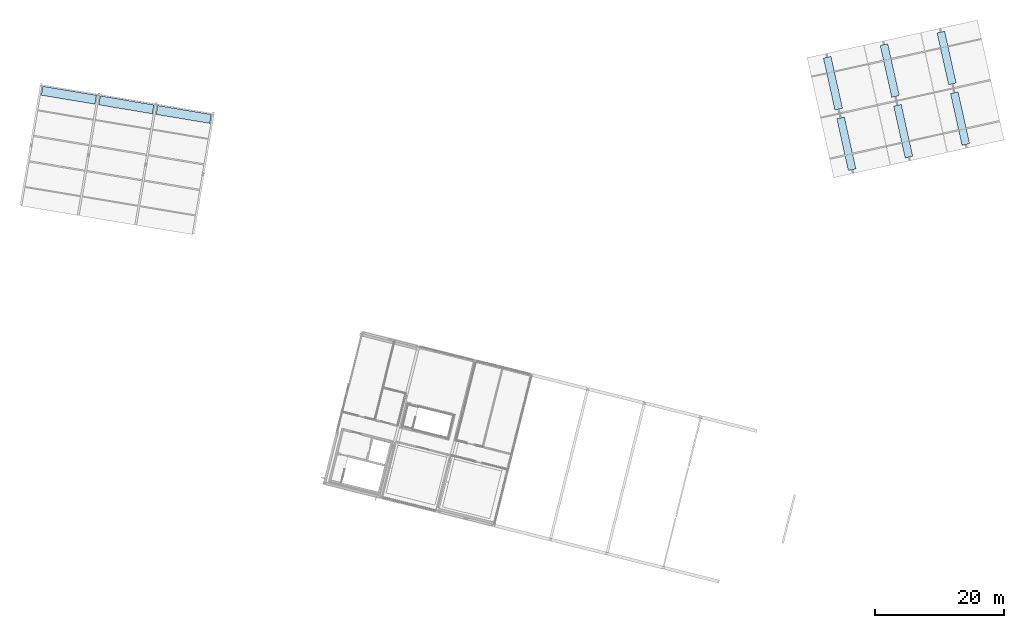
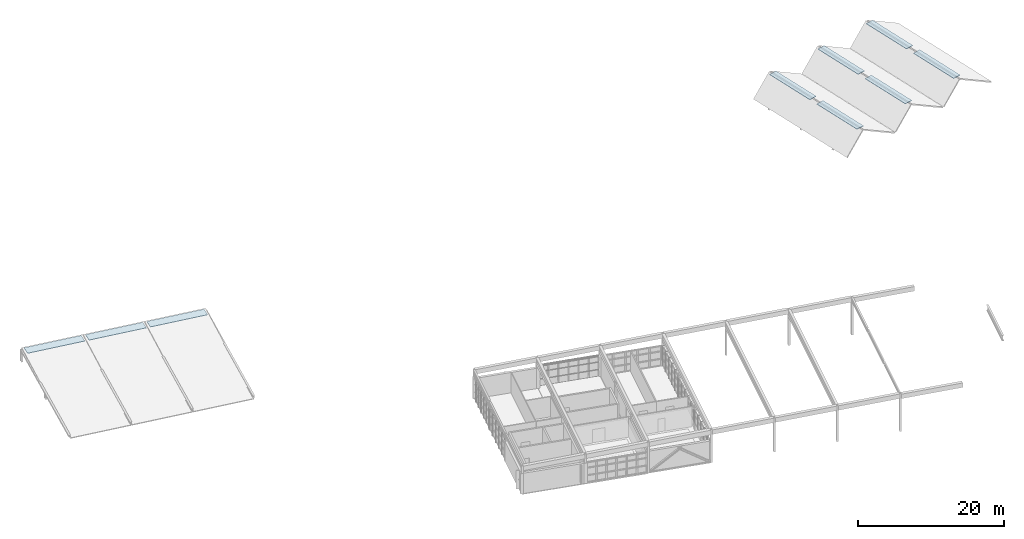
# One storey, part 25 of 27: 9 roofs.
"""IFC4 building model written with IfcOpenShell, lengths in metres."""

from ifc_helpers import new_model, si_unit, direction, frame, origin, origin_2d, place, context, subcontext, project, spatial, rectangle, extrude, material, layer, layer_set, type_object, element, save


model = new_model("IFC4")

# Units and contexts
model_context = context("Model", 3, precision=1e-05, world=origin(), true_north=direction((0.0, 1.0)))
body_context = subcontext(model_context, "Body", "Model", "MODEL_VIEW")
ifc_project = project(units=[si_unit("LENGTHUNIT", "METRE"), si_unit("AREAUNIT", "SQUARE_METRE"), si_unit("VOLUMEUNIT", "CUBIC_METRE"), si_unit("PLANEANGLEUNIT", "RADIAN"), si_unit("MASSUNIT", "GRAM", prefix="KILO")], contexts=[model_context])

# Site, building, storey
site_placement = place(None, origin())
site = spatial("IfcSite", under=ifc_project, at=site_placement, CompositionType="ELEMENT")
building_placement = place(site_placement, origin())
building = spatial("IfcBuilding", under=site, at=building_placement, Name="Vireo Bluff Cable Station", CompositionType="ELEMENT")
storey_placement = place(building_placement, frame((0.0, 0.0, 19.199951171875)))
storey = spatial("IfcBuildingStorey", under=building, at=storey_placement, Name="L04", CompositionType="ELEMENT", Elevation=19.199951171875)

# Roofs
ifc_material_1 = material(Name="Concrete f'c 50 MPa", Category="concrete")
ifc_layer_1 = layer(ifc_material_1, 0.080078125, Name="Concrete f'c 50 MPa")
ifc_layer_set_1 = layer_set([ifc_layer_1], Name="Concrete f'c 50 MPa")
roof_type_1 = type_object("IfcRoofType", Name="ROOF-FOLDED-01", PredefinedType="GABLE_ROOF", material=ifc_layer_set_1)
for number, where, z_axis, x_axis, name in (
    (1, (134.70068359375, 90.4736328125, 3.22998046875), (0.0, 0.0, 1.0), (0.97629600712, 0.216439613938, 0.0), "V2 folded roof ridge cap 1.1"),
    (2, (132.622802734375, 99.84619140625, 3.22998046875), (0.0, 0.0, 1.0), (0.97629600712, 0.216439613938, 0.0), "V2 folded roof ridge cap 1.2"),
    (3, (143.4873046875, 92.421630859375, 3.22998046875), (0.0, 0.0, 1.0), (0.97629600712, 0.216439613938, 0.0), "V2 folded roof ridge cap 2.1"),
    (4, (141.409423828125, 101.7939453125, 3.22998046875), (0.0, 0.0, 1.0), (0.97629600712, 0.216439613938, 0.0), "V2 folded roof ridge cap 2.2"),
    (5, (152.27392578125, 94.36962890625, 3.22998046875), (0.0, 0.0, 1.0), (0.97629600712, 0.216439613938, 0.0), "V2 folded roof ridge cap 3.1"),
    (6, (150.1962890625, 103.741943359375, 3.22998046875), (0.0, 0.0, 1.0), (0.97629600712, 0.216439613938, 0.0), "V2 folded roof ridge cap 3.2"),
):
    element("IfcRoof", number, at=place(storey_placement, frame(where, z_axis=z_axis, x_axis=x_axis)), inside=storey, type_object=roof_type_1, Name=name, PredefinedType="GABLE_ROOF", context=body_context, shape_type="SweptSolid", body=[
        extrude(rectangle(XDim=1.199951171875, YDim=8.199951171875, at=origin_2d()), origin(), (0.0, 0.0, 1.0), 0.080078125),
    ])
ifc_material_2 = material(Name="Concrete f'c 40 MPa", Category="concrete")
ifc_layer_2 = layer(ifc_material_2, 0.080078125, Name="Concrete f'c 40 MPa")
ifc_layer_set_2 = layer_set([ifc_layer_2], Name="Concrete f'c 40 MPa")
roof_type_2 = type_object("IfcRoofType", Name="ROOF-SAWTOOTH-01", PredefinedType="SHED_ROOF", material=ifc_layer_set_2)
for number, where, z_axis, x_axis, name in (
    (7, (14.49365234375, 97.978759765625, 2.2900390625), (0.0, 0.0, 1.0), (0.986285601537, -0.165047605861, 0.0), "V4 sawtooth roof cap 1"),
    (8, (23.3701171875, 96.493408203125, 2.2900390625), (0.0, 0.0, 1.0), (0.986285601537, -0.165047605861, 0.0), "V4 sawtooth roof cap 2"),
    (9, (32.246826171875, 95.0078125, 2.2900390625), (0.0, 0.0, 1.0), (0.986285601537, -0.165047605861, 0.0), "V4 sawtooth roof cap 3"),
):
    element("IfcRoof", number, at=place(storey_placement, frame(where, z_axis=z_axis, x_axis=x_axis)), inside=storey, type_object=roof_type_2, Name=name, PredefinedType="SHED_ROOF", context=body_context, shape_type="SweptSolid", body=[
        extrude(rectangle(XDim=8.39990234375, YDim=1.39990234375, at=origin_2d()), origin(), (0.0, 0.0, 1.0), 0.080078125),
    ])

save(model, "model.ifc")
